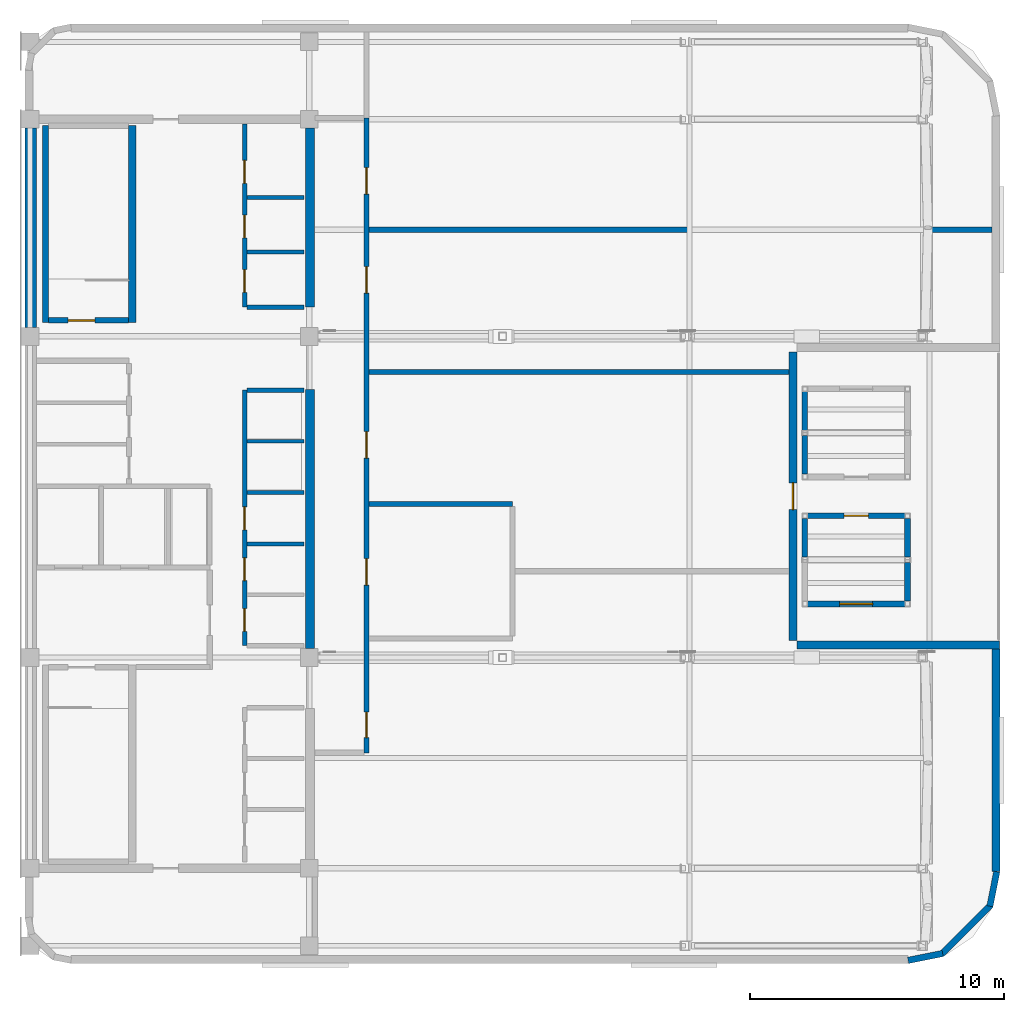
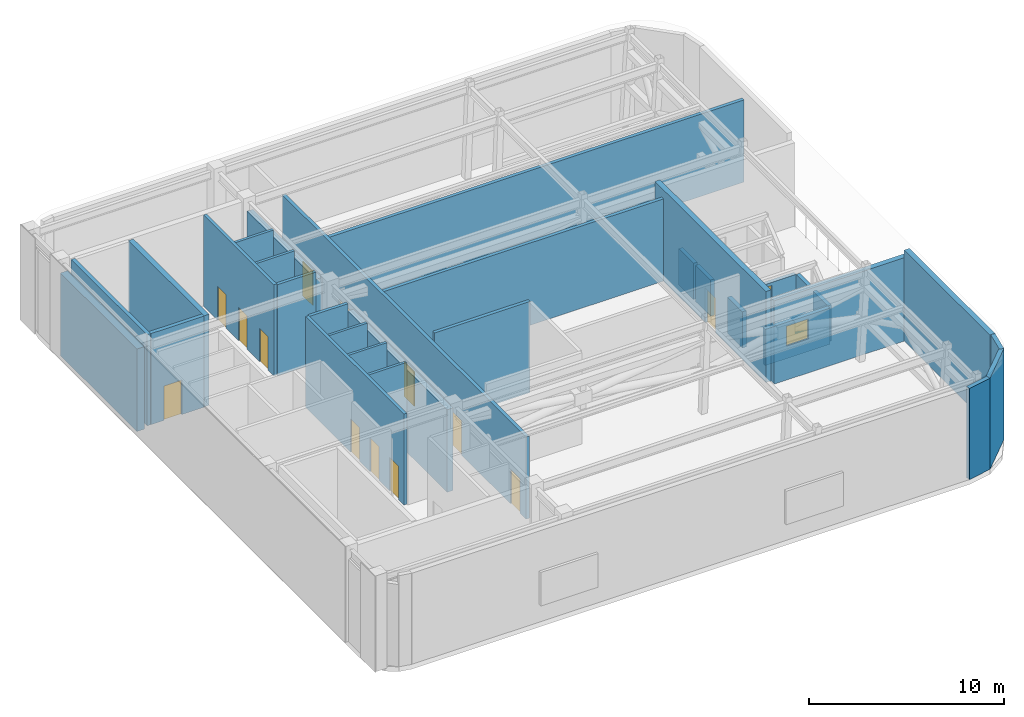
# One storey, part 10 of 12: 32 walls, 14 doors, 1 window, 15 openings.
"""IFC4 building model written with IfcOpenShell, lengths in metres."""

from ifc_helpers import new_model, si_unit, direction, frame, frame_2d, origin, place, context, subcontext, project, spatial, rectangle, extrude, material, layer, layer_set, type_object, element, fill, save


model = new_model("IFC4")

# Units and contexts
model_context = context("Model", 3, precision=1e-05, world=origin(), true_north=direction((0.0, 1.0)))
body_context = subcontext(model_context, "Body", "Model", "MODEL_VIEW")
ifc_project = project(units=[si_unit("LENGTHUNIT", "METRE"), si_unit("AREAUNIT", "SQUARE_METRE"), si_unit("VOLUMEUNIT", "CUBIC_METRE"), si_unit("PLANEANGLEUNIT", "RADIAN"), si_unit("MASSUNIT", "GRAM", prefix="KILO")], contexts=[model_context])

# Site, building, storey
site_placement = place(None, origin())
site = spatial("IfcSite", under=ifc_project, at=site_placement, CompositionType="ELEMENT")
building_placement = place(site_placement, origin())
building = spatial("IfcBuilding", under=site, at=building_placement, Name="Ochreholt Gables", CompositionType="ELEMENT")
storey_placement = place(building_placement, frame((0.0, 0.0, 287.0)))
storey = spatial("IfcBuildingStorey", under=building, at=storey_placement, Name="L75", CompositionType="ELEMENT", Elevation=287.0)

# Walls
ifc_material_1 = material(Name="Concrete 50 MPa", Category="concrete")
ifc_layer_1 = layer(ifc_material_1, 0.35009765625, Name="Concrete 50 MPa")
ifc_layer_set_1 = layer_set([ifc_layer_1], Name="Concrete 50 MPa")
wall_type_1 = type_object("IfcWallType", Name="WALL-CSW-350", PredefinedType="SHEAR", material=ifc_layer_set_1)
wall_1_placement = place(storey_placement, frame((35.22509765625, 17.89990234375, 0.0), z_axis=(0.0, 0.0, 1.0), x_axis=(0.0, 1.0, 0.0)))
element("IfcWall", 1, at=wall_1_placement, inside=storey, type_object=wall_type_1, Name="L75 Core Central-East Shear Wall", PredefinedType="SHEAR", context=body_context, shape_type="SweptSolid", body=[
    extrude(rectangle(XDim=10.2001953125, YDim=0.35009765625, at=frame_2d((5.10009765625, 0.0))), origin(), (0.0, 0.0, 1.0), 5.160888671875),
])
wall_2_placement = place(storey_placement, frame((35.22509765625, 31.35009765625, 0.0), z_axis=(0.0, 0.0, 1.0), x_axis=(0.0, 1.0, 0.0)))
element("IfcWall", 2, at=wall_2_placement, inside=storey, type_object=wall_type_1, Name="L75 Core North-East Shear Wall", PredefinedType="SHEAR", context=body_context, shape_type="SweptSolid", body=[
    extrude(rectangle(XDim=7.0498046875, YDim=0.35009765625, at=frame_2d((3.52490234375, 0.0))), origin(), (0.0, 0.0, 1.0), 5.160888671875),
])
ifc_layer_2 = layer(ifc_material_1, 0.449951171875, Name="Concrete 50 MPa")
ifc_layer_set_2 = layer_set([ifc_layer_2], Name="Concrete 50 MPa")
wall_type_2 = type_object("IfcWallType", Name="WALL-CSW-EXT", PredefinedType="SHEAR", material=ifc_layer_set_2)
wall_3_placement = place(storey_placement, frame((24.22509765625, 30.550048828125, 0.0), z_axis=(0.0, 0.0, 1.0), x_axis=(0.0, 1.0, 0.0)))
element("IfcWall", 3, at=wall_3_placement, inside=storey, type_object=wall_type_2, Name="L75 Core West Shear Wall WN", PredefinedType="SHEAR", context=body_context, shape_type="SweptSolid", body=[
    extrude(rectangle(XDim=7.849853515625, YDim=0.449951171875, at=frame_2d((3.9248046875, 0.0))), origin(), (0.0, 0.0, 1.0), 5.160888671875),
])
ifc_material_2 = material(Name="Precast concrete 40 MPa", Category="concrete")
ifc_layer_3 = layer(ifc_material_2, 0.25, Name="Precast concrete 40 MPa")
ifc_layer_set_3 = layer_set([ifc_layer_3], Name="Precast concrete 40 MPa")
wall_type_3 = type_object("IfcWallType", Name="WALL-EXT-CNR", PredefinedType="SOLIDWALL", material=ifc_layer_set_3)
wall_4_placement = place(storey_placement, frame((58.783447265625, 5.624267578125, 0.0), z_axis=(0.0, 0.0, 1.0), x_axis=(0.980809899341, 0.19496651342, 0.0)))
element("IfcWall", 4, at=wall_4_placement, inside=storey, type_object=wall_type_3, Name="L75 Rounded Corner Wall SE-1", PredefinedType="SOLIDWALL", context=body_context, shape_type="SweptSolid", body=[
    extrude(rectangle(XDim=1.388671875, YDim=0.25, at=frame_2d((0.6943359375, 0.0))), origin(), (0.0, 0.0, 1.0), 5.699951171875),
])
wall_5_placement = place(storey_placement, frame((60.094970703125, 5.867919921875, 0.0), z_axis=(0.0, 0.0, 1.0), x_axis=(0.707106781187, 0.707106781187, 0.0)))
element("IfcWall", 5, at=wall_5_placement, inside=storey, type_object=wall_type_3, Name="L75 Rounded Corner Wall SE-2", PredefinedType="SOLIDWALL", context=body_context, shape_type="SweptSolid", body=[
    extrude(rectangle(XDim=2.7392578125, YDim=0.25, at=frame_2d((1.36962890625, 0.0))), origin(), (0.0, 0.0, 1.0), 5.699951171875),
])
wall_6_placement = place(storey_placement, frame((62.0048828125, 7.75439453125, 0.0), z_axis=(0.0, 0.0, 1.0), x_axis=(0.195135625965, 0.9807762678, 0.0)))
element("IfcWall", 6, at=wall_6_placement, inside=storey, type_object=wall_type_3, Name="L75 Rounded Corner Wall SE-3", PredefinedType="SOLIDWALL", context=body_context, shape_type="SweptSolid", body=[
    extrude(rectangle(XDim=1.388671875, YDim=0.25, at=frame_2d((0.6943359375, 0.0))), origin(), (0.0, 0.0, 1.0), 5.699951171875),
])
ifc_layer_4 = layer(ifc_material_2, 0.22998046875, Name="Precast concrete 40 MPa")
ifc_layer_set_4 = layer_set([ifc_layer_4], Name="Precast concrete 40 MPa")
wall_type_4 = type_object("IfcWallType", Name="WALL-EXT-GAB", PredefinedType="SOLIDWALL", material=ifc_layer_set_4)
for number, where, z_axis, x_axis, name in (
    (7, (54.715087890625, 21.501953125, 0.0), (0.0, 0.0, 1.0), (0.0, 1.0, 0.0), "L75 Gable End Wall GB-75C1-W2"),
    (8, (58.764892578125, 19.77197265625, 0.0), (0.0, 0.0, 1.0), (0.0, 1.0, 0.0), "L75 Gable End Wall GB-75C1-E1"),
    (9, (58.764892578125, 21.501953125, 0.0), (0.0, 0.0, 1.0), (0.0, 1.0, 0.0), "L75 Gable End Wall GB-75C1-E2"),
):
    element("IfcWall", number, at=place(storey_placement, frame(where, z_axis=z_axis, x_axis=x_axis)), inside=storey, type_object=wall_type_4, Name=name, PredefinedType="SOLIDWALL", context=body_context, shape_type="SweptSolid", body=[
        extrude(rectangle(XDim=1.526123046875, YDim=0.22998046875, at=frame_2d((0.76318359375, 0.0))), origin(), (0.0, 0.0, 1.0), 2.264404296875),
    ])

# Wall, opening, window
wall_7_placement = place(storey_placement, frame((54.822021484375, 19.6650390625, 0.0), z_axis=(0.0, 0.0, 1.0), x_axis=(1.0, 0.0, 0.0)))
wall_7 = element("IfcWall", 10, at=wall_7_placement, inside=storey, type_object=wall_type_4, Name="L75 Gable Eave Wall GB-75C1-S", PredefinedType="SOLIDWALL", context=body_context, shape_type="SweptSolid", body=[
    extrude(rectangle(XDim=3.8359375, YDim=0.22998046875, at=frame_2d((1.91796875, 0.0))), origin(), (0.0, 0.0, 1.0), 2.264404296875),
])
opening_1_placement = place(wall_7_placement, frame((1.26806640625, 0.0, 0.780029296875)))
opening_1 = element("IfcOpeningElement", 11, at=opening_1_placement, cuts=wall_7, Name="Opening WN-6", PredefinedType="OPENING", context=body_context, shape_type="SweptSolid", body=[
    extrude(rectangle(XDim=1.300048828125, YDim=1.25, at=frame_2d((0.64990234375, 0.625))), frame((0.0, 0.125, 0.0), z_axis=(0.0, -1.0, 0.0), x_axis=(1.0, 0.0, 0.0)), (0.0, 0.0, 1.0), 0.25),
])
ifc_material_3 = material(Name="Triple-Glazed Thermally Broken Aluminium Window", Category="aluminium")
window_type = type_object("IfcWindowType", Name="WIN-GAB-1300", PartitioningType="SINGLE_PANEL", PredefinedType="WINDOW", material=ifc_material_3)
window_placement = place(opening_1_placement, origin())
window = element("IfcWindow", 12, at=window_placement, inside=storey, type_object=window_type, Name="L75 Gable Pavilion Window GB-75C1", OverallHeight=1.25, OverallWidth=1.300048828125, PartitioningType="SINGLE_PANEL", PredefinedType="WINDOW", context=body_context, shape_type="SweptSolid", body=[
    extrude(rectangle(XDim=1.300048828125, YDim=1.25, at=frame_2d((0.64990234375, 0.625))), frame((0.0, 0.030029296875, 0.0), z_axis=(0.0, -1.0, 0.0), x_axis=(1.0, 0.0, 0.0)), (0.0, 0.0, 1.0), 0.06005859375),
])
fill(opening_1, window)

# Wall, opening, door
wall_8_placement = place(storey_placement, frame((54.822021484375, 23.135009765625, 0.0), z_axis=(0.0, 0.0, 1.0), x_axis=(1.0, 0.0, 0.0)))
wall_8 = element("IfcWall", 13, at=wall_8_placement, inside=storey, type_object=wall_type_4, Name="L75 Gable Eave Wall GB-75C1-N", PredefinedType="SOLIDWALL", context=body_context, shape_type="SweptSolid", body=[
    extrude(rectangle(XDim=3.8359375, YDim=0.22998046875, at=frame_2d((1.91796875, 0.0))), origin(), (0.0, 0.0, 1.0), 2.264404296875),
])
opening_2_placement = place(wall_8_placement, frame((1.43798828125, 0.0, 0.0)))
opening_2 = element("IfcOpeningElement", 14, at=opening_2_placement, cuts=wall_8, Name="Opening D-GB1", PredefinedType="OPENING", context=body_context, shape_type="SweptSolid", body=[
    extrude(rectangle(XDim=0.9599609375, YDim=2.080078125, at=frame_2d((0.47998046875, 1.0400390625))), frame((0.0, 0.125, 0.0), z_axis=(0.0, -1.0, 0.0), x_axis=(1.0, 0.0, 0.0)), (0.0, 0.0, 1.0), 0.25),
])
ifc_material_4 = material(Name="Thermally Broken Insulated Steel and Glass Door", Category="steel")
door_type_1 = type_object("IfcDoorType", Name="DR-EXT-GAB960", OperationType="NOTDEFINED", PredefinedType="DOOR", material=ifc_material_4)
door_1_placement = place(opening_2_placement, origin())
door_1 = element("IfcDoor", 15, at=door_1_placement, inside=storey, type_object=door_type_1, Name="L75 Gable Pavilion Door GB-75C1", OperationType="SINGLE_SWING_RIGHT", OverallHeight=2.080078125, OverallWidth=0.9599609375, PredefinedType="DOOR", context=body_context, shape_type="SweptSolid", body=[
    extrude(rectangle(XDim=0.9599609375, YDim=2.080078125, at=frame_2d((0.47998046875, 1.0400390625))), frame((0.0, 0.02490234375, 0.0), z_axis=(0.0, -1.0, 0.0), x_axis=(1.0, 0.0, 0.0)), (0.0, 0.0, 1.0), 0.050048828125),
])
fill(opening_2, door_1)

# Walls
for number, where, z_axis, x_axis, name in (
    (16, (54.715087890625, 24.77197265625, 0.0), (0.0, 0.0, 1.0), (0.0, 1.0, 0.0), "L75 Gable End Wall GB-75C2-W1"),
    (17, (54.715087890625, 26.501953125, 0.0), (0.0, 0.0, 1.0), (0.0, 1.0, 0.0), "L75 Gable End Wall GB-75C2-W2"),
):
    element("IfcWall", number, at=place(storey_placement, frame(where, z_axis=z_axis, x_axis=x_axis)), inside=storey, type_object=wall_type_4, Name=name, PredefinedType="SOLIDWALL", context=body_context, shape_type="SweptSolid", body=[
        extrude(rectangle(XDim=1.526123046875, YDim=0.22998046875, at=frame_2d((0.76318359375, 0.0))), origin(), (0.0, 0.0, 1.0), 2.264404296875),
    ])
ifc_material_5 = material(Name="Precast concrete 50 MPa", Category="concrete")
ifc_layer_5 = layer(ifc_material_5, 0.31005859375, Name="Precast concrete 50 MPa")
ifc_layer_set_5 = layer_set([ifc_layer_5], Name="Precast concrete 50 MPa")
wall_type_5 = type_object("IfcWallType", Name="WALL-EXT-PLT", PredefinedType="SOLIDWALL", material=ifc_layer_set_5)
wall_9_placement = place(storey_placement, frame((62.2451171875, 9.1201171875, 0.0), z_axis=(0.0, 0.0, 1.0), x_axis=(0.0, 1.0, 0.0)))
element("IfcWall", 18, at=wall_9_placement, inside=storey, type_object=wall_type_5, Name="L75 South-East Plant Facade Wall", PredefinedType="SOLIDWALL", context=body_context, shape_type="SweptSolid", body=[
    extrude(rectangle(XDim=8.769775390625, YDim=0.31005859375, at=frame_2d((4.384765625, 0.0))), origin(), (0.0, 0.0, 1.0), 5.699951171875),
])
wall_10_placement = place(storey_placement, frame((54.39990234375, 18.044921875, 0.0), z_axis=(0.0, 0.0, 1.0), x_axis=(1.0, 0.0, 0.0)))
element("IfcWall", 19, at=wall_10_placement, inside=storey, type_object=wall_type_5, Name="L75 Crown Terrace South Cheek Wall", PredefinedType="SOLIDWALL", context=body_context, shape_type="SweptSolid", body=[
    extrude(rectangle(XDim=7.97998046875, YDim=0.31005859375, at=frame_2d((3.989990234375, 0.0))), origin(), (0.0, 0.0, 1.0), 5.218994140625),
])

# Wall, opening, door
wall_11_placement = place(storey_placement, frame((54.2451171875, 18.219970703125, 0.0), z_axis=(0.0, 0.0, 1.0), x_axis=(0.0, 1.0, 0.0)))
wall_11 = element("IfcWall", 20, at=wall_11_placement, inside=storey, type_object=wall_type_5, Name="L75 Crown Terrace Rear Plant Wall", PredefinedType="SOLIDWALL", context=body_context, shape_type="SweptSolid", body=[
    extrude(rectangle(XDim=11.360107421875, YDim=0.31005859375, at=frame_2d((5.68017578125, 0.0))), origin(), (0.0, 0.0, 1.0), 5.699951171875),
])
opening_3_placement = place(wall_11_placement, frame((5.159912109375, 0.0, 0.0)))
opening_3 = element("IfcOpeningElement", 21, at=opening_3_placement, cuts=wall_11, Name="Opening D-TR1", PredefinedType="OPENING", context=body_context, shape_type="SweptSolid", body=[
    extrude(rectangle(XDim=1.050048828125, YDim=2.14990234375, at=frame_2d((0.52490234375, 1.074951171875))), frame((0.0, 0.1650390625, 0.0), z_axis=(0.0, -1.0, 0.0), x_axis=(1.0, 0.0, 0.0)), (0.0, 0.0, 1.0), 0.330078125),
])
door_type_2 = type_object("IfcDoorType", Name="DR-EXT-TER1050", OperationType="NOTDEFINED", PredefinedType="DOOR", material=ifc_material_4)
door_2_placement = place(opening_3_placement, origin())
door_2 = element("IfcDoor", 22, at=door_2_placement, inside=storey, type_object=door_type_2, Name="L75 Upper Crown Terrace Access Door", OperationType="SINGLE_SWING_RIGHT", OverallHeight=2.14990234375, OverallWidth=1.050048828125, PredefinedType="DOOR", context=body_context, shape_type="SweptSolid", body=[
    extrude(rectangle(XDim=1.050048828125, YDim=2.14990234375, at=frame_2d((0.52490234375, 1.074951171875))), frame((0.0, 0.02490234375, 0.0), z_axis=(0.0, -1.0, 0.0), x_axis=(1.0, 0.0, 0.0)), (0.0, 0.0, 1.0), 0.050048828125),
])
fill(opening_3, door_2)

# Wall, openings, doors
ifc_material_6 = material(Name="Concrete 40 MPa", Category="concrete")
ifc_layer_6 = layer(ifc_material_6, 0.199951171875, Name="Concrete 40 MPa")
ifc_layer_set_6 = layer_set([ifc_layer_6], Name="Concrete 40 MPa")
wall_type_6 = type_object("IfcWallType", Name="WALL-INT-CF200", PredefinedType="STANDARD", material=ifc_layer_set_6)
wall_12_placement = place(storey_placement, frame((37.449951171875, 13.800048828125, 0.0), z_axis=(0.0, 0.0, 1.0), x_axis=(0.0, 1.0, 0.0)))
wall_12 = element("IfcWall", 23, at=wall_12_placement, inside=storey, type_object=wall_type_6, Name="L75 Interior Wall WI-PLCE-L75", PredefinedType="STANDARD", context=body_context, shape_type="SweptSolid", body=[
    extrude(rectangle(XDim=25.0, YDim=0.199951171875, at=frame_2d((12.5, 0.0))), origin(), (0.0, 0.0, 1.0), 5.14306640625),
])
opening_4_placement = place(wall_12_placement, frame((6.60009765625, 0.0, 0.0)))
opening_4 = element("IfcOpeningElement", 24, at=opening_4_placement, cuts=wall_12, Name="Opening D-FLB", PredefinedType="OPENING", context=body_context, shape_type="SweptSolid", body=[
    extrude(rectangle(XDim=1.050048828125, YDim=2.14990234375, at=frame_2d((0.52490234375, 1.074951171875))), frame((0.0, 0.10986328125, 0.0), z_axis=(0.0, -1.0, 0.0), x_axis=(1.0, 0.0, 0.0)), (0.0, 0.0, 1.0), 0.219970703125),
])
opening_5_placement = place(wall_12_placement, frame((0.60009765625, 0.0, 0.0)))
opening_5 = element("IfcOpeningElement", 25, at=opening_5_placement, cuts=wall_12, Name="Opening D-SV3", PredefinedType="OPENING", context=body_context, shape_type="SweptSolid", body=[
    extrude(rectangle(XDim=1.0, YDim=2.14990234375, at=frame_2d((0.5, 1.074951171875))), frame((0.0, 0.10986328125, 0.0), z_axis=(0.0, -1.0, 0.0), x_axis=(1.0, 0.0, 0.0)), (0.0, 0.0, 1.0), 0.219970703125),
])
opening_6_placement = place(wall_12_placement, frame((11.60009765625, 0.0, 0.0)))
opening_6 = element("IfcOpeningElement", 26, at=opening_6_placement, cuts=wall_12, Name="Opening D-SV4", PredefinedType="OPENING", context=body_context, shape_type="SweptSolid", body=[
    extrude(rectangle(XDim=1.050048828125, YDim=2.14990234375, at=frame_2d((0.52490234375, 1.074951171875))), frame((0.0, 0.10986328125, 0.0), z_axis=(0.0, -1.0, 0.0), x_axis=(1.0, 0.0, 0.0)), (0.0, 0.0, 1.0), 0.219970703125),
])
opening_7_placement = place(wall_12_placement, frame((18.10009765625, 0.0, 0.0)))
opening_7 = element("IfcOpeningElement", 27, at=opening_7_placement, cuts=wall_12, Name="Opening D-SV4", PredefinedType="OPENING", context=body_context, shape_type="SweptSolid", body=[
    extrude(rectangle(XDim=1.050048828125, YDim=2.14990234375, at=frame_2d((0.52490234375, 1.074951171875))), frame((0.0, 0.10986328125, 0.0), z_axis=(0.0, -1.0, 0.0), x_axis=(1.0, 0.0, 0.0)), (0.0, 0.0, 1.0), 0.219970703125),
])
opening_8_placement = place(wall_12_placement, frame((22.0, 0.0, 0.0)))
opening_8 = element("IfcOpeningElement", 28, at=opening_8_placement, cuts=wall_12, Name="Opening D-SV4", PredefinedType="OPENING", context=body_context, shape_type="SweptSolid", body=[
    extrude(rectangle(XDim=1.050048828125, YDim=2.14990234375, at=frame_2d((0.52490234375, 1.074951171875))), frame((0.0, 0.10986328125, 0.0), z_axis=(0.0, -1.0, 0.0), x_axis=(1.0, 0.0, 0.0)), (0.0, 0.0, 1.0), 0.219970703125),
])
ifc_material_7 = material(Name="Hollow Metal Steel", Category="steel")
door_type_3 = type_object("IfcDoorType", Name="DR-INT-FLB1050", OperationType="NOTDEFINED", PredefinedType="DOOR", material=ifc_material_7)
door_3_placement = place(opening_4_placement, origin())
door_3 = element("IfcDoor", 29, at=door_3_placement, inside=storey, type_object=door_type_3, Name="L75 Door D-PLRF-L75", OperationType="SINGLE_SWING_LEFT", OverallHeight=2.14990234375, OverallWidth=1.050048828125, PredefinedType="DOOR", context=body_context, shape_type="SweptSolid", body=[
    extrude(rectangle(XDim=1.050048828125, YDim=2.14990234375, at=frame_2d((0.52490234375, 1.074951171875))), frame((0.0, 0.02490234375, 0.0), z_axis=(0.0, -1.0, 0.0), x_axis=(1.0, 0.0, 0.0)), (0.0, 0.0, 1.0), 0.050048828125),
])
fill(opening_4, door_3)
door_type_4 = type_object("IfcDoorType", Name="DR-INT-SRV1000", OperationType="NOTDEFINED", PredefinedType="DOOR", material=ifc_material_7)
door_4_placement = place(opening_5_placement, origin())
door_4 = element("IfcDoor", 30, at=door_4_placement, inside=storey, type_object=door_type_4, Name="L75 Door D-PL1-L75", OperationType="SINGLE_SWING_RIGHT", OverallHeight=2.14990234375, OverallWidth=1.0, PredefinedType="DOOR", context=body_context, shape_type="SweptSolid", body=[
    extrude(rectangle(XDim=1.0, YDim=2.14990234375, at=frame_2d((0.5, 1.074951171875))), frame((0.0, 0.02490234375, 0.0), z_axis=(0.0, -1.0, 0.0), x_axis=(1.0, 0.0, 0.0)), (0.0, 0.0, 1.0), 0.050048828125),
])
fill(opening_5, door_4)
door_type_5 = type_object("IfcDoorType", Name="DR-INT-SRV1050", OperationType="NOTDEFINED", PredefinedType="DOOR", material=ifc_material_7)
door_5_placement = place(opening_6_placement, origin())
door_5 = element("IfcDoor", 31, at=door_5_placement, inside=storey, type_object=door_type_5, Name="L75 Door D-PL2-L75", OperationType="SINGLE_SWING_LEFT", OverallHeight=2.14990234375, OverallWidth=1.050048828125, PredefinedType="DOOR", context=body_context, shape_type="SweptSolid", body=[
    extrude(rectangle(XDim=1.050048828125, YDim=2.14990234375, at=frame_2d((0.52490234375, 1.074951171875))), frame((0.0, 0.02490234375, 0.0), z_axis=(0.0, -1.0, 0.0), x_axis=(1.0, 0.0, 0.0)), (0.0, 0.0, 1.0), 0.050048828125),
])
fill(opening_6, door_5)
door_6_placement = place(opening_7_placement, origin())
door_6 = element("IfcDoor", 32, at=door_6_placement, inside=storey, type_object=door_type_5, Name="L75 Door D-PL3-L75", OperationType="SINGLE_SWING_RIGHT", OverallHeight=2.14990234375, OverallWidth=1.050048828125, PredefinedType="DOOR", context=body_context, shape_type="SweptSolid", body=[
    extrude(rectangle(XDim=1.050048828125, YDim=2.14990234375, at=frame_2d((0.52490234375, 1.074951171875))), frame((0.0, 0.02490234375, 0.0), z_axis=(0.0, -1.0, 0.0), x_axis=(1.0, 0.0, 0.0)), (0.0, 0.0, 1.0), 0.050048828125),
])
fill(opening_7, door_6)
door_7_placement = place(opening_8_placement, origin())
door_7 = element("IfcDoor", 33, at=door_7_placement, inside=storey, type_object=door_type_5, Name="L75 Door D-PL4-L75", OperationType="SINGLE_SWING_LEFT", OverallHeight=2.14990234375, OverallWidth=1.050048828125, PredefinedType="DOOR", context=body_context, shape_type="SweptSolid", body=[
    extrude(rectangle(XDim=1.050048828125, YDim=2.14990234375, at=frame_2d((0.52490234375, 1.074951171875))), frame((0.0, 0.02490234375, 0.0), z_axis=(0.0, -1.0, 0.0), x_axis=(1.0, 0.0, 0.0)), (0.0, 0.0, 1.0), 0.050048828125),
])
fill(opening_8, door_7)

# Walls
wall_13_placement = place(storey_placement, frame((37.550048828125, 23.60009765625, 0.0), z_axis=(0.0, 0.0, 1.0), x_axis=(1.0, 0.0, 0.0)))
element("IfcWall", 34, at=wall_13_placement, inside=storey, type_object=wall_type_6, Name="L75 Interior Wall WI-PLRFN-L75", PredefinedType="STANDARD", context=body_context, shape_type="SweptSolid", body=[
    extrude(rectangle(XDim=5.64990234375, YDim=0.199951171875, at=frame_2d((2.824951171875, 0.0))), origin(), (0.0, 0.0, 1.0), 5.699951171875),
])
wall_14_placement = place(storey_placement, frame((37.550048828125, 28.800048828125, 0.0), z_axis=(0.0, 0.0, 1.0), x_axis=(1.0, 0.0, 0.0)))
element("IfcWall", 35, at=wall_14_placement, inside=storey, type_object=wall_type_6, Name="L75 Interior Wall WI-PLE1-L75", PredefinedType="STANDARD", context=body_context, shape_type="SweptSolid", body=[
    extrude(rectangle(XDim=16.5400390625, YDim=0.199951171875, at=frame_2d((8.27001953125, 0.0))), origin(), (0.0, 0.0, 1.0), 5.14306640625),
])
wall_15_placement = place(storey_placement, frame((37.550048828125, 34.39990234375, 0.0), z_axis=(0.0, 0.0, 1.0), x_axis=(1.0, 0.0, 0.0)))
element("IfcWall", 36, at=wall_15_placement, inside=storey, type_object=wall_type_6, Name="L75 Interior Wall WI-PLE2-L75", PredefinedType="STANDARD", context=body_context, shape_type="SweptSolid", body=[
    extrude(rectangle(XDim=24.5400390625, YDim=0.199951171875, at=frame_2d((12.27001953125, 0.0))), origin(), (0.0, 0.0, 1.0), 5.14306640625),
])
ifc_material_8 = material(Name="Gypsum Shaftliner and Steel Stud", Category="steel")
ifc_layer_7 = layer(ifc_material_8, 0.14990234375, Name="Gypsum Shaftliner and Steel Stud")
ifc_layer_set_7 = layer_set([ifc_layer_7], Name="Gypsum Shaftliner and Steel Stud")
wall_type_7 = type_object("IfcWallType", Name="WALL-INT-SH150", PredefinedType="STANDARD", material=ifc_layer_set_7)
for number, where, z_axis, x_axis, name in (
    (37, (32.739990234375, 22.02001953125, 0.0), (0.0, 0.0, 1.0), (1.0, 0.0, 0.0), "L75 Interior Wall WI-LFHE-DH2-L75"),
    (38, (32.739990234375, 24.050048828125, 0.0), (0.0, 0.0, 1.0), (1.0, 0.0, 0.0), "L75 Interior Wall WI-LFHE-DHE-L75"),
    (39, (32.739990234375, 26.070068359375, 0.0), (0.0, 0.0, 1.0), (1.0, 0.0, 0.0), "L75 Interior Wall WI-LFHE-DEX1-L75"),
    (40, (32.739990234375, 33.52001953125, 0.0), (0.0, 0.0, 1.0), (1.0, 0.0, 0.0), "L75 Interior Wall WI-LFM-D1-L75"),
    (41, (32.739990234375, 35.669921875, 0.0), (0.0, 0.0, 1.0), (1.0, 0.0, 0.0), "L75 Interior Wall WI-LFM-D2-L75"),
):
    element("IfcWall", number, at=place(storey_placement, frame(where, z_axis=z_axis, x_axis=x_axis)), inside=storey, type_object=wall_type_7, Name=name, PredefinedType="STANDARD", context=body_context, shape_type="SweptSolid", body=[
        extrude(rectangle(XDim=2.260009765625, YDim=0.14990234375, at=frame_2d((1.1298828125, 0.0))), origin(), (0.0, 0.0, 1.0), 5.699951171875),
    ])

# Wall, openings, doors
ifc_layer_8 = layer(ifc_material_8, 0.179931640625, Name="Gypsum Shaftliner and Steel Stud")
ifc_layer_set_8 = layer_set([ifc_layer_8], Name="Gypsum Shaftliner and Steel Stud")
wall_type_8 = type_object("IfcWallType", Name="WALL-INT-SH180", PredefinedType="STANDARD", material=ifc_layer_set_8)
wall_16_placement = place(storey_placement, frame((32.64990234375, 18.02001953125, 0.0), z_axis=(0.0, 0.0, 1.0), x_axis=(0.0, 1.0, 0.0)))
wall_16 = element("IfcWall", 42, at=wall_16_placement, inside=storey, type_object=wall_type_8, Name="L75 Interior Wall WI-LFHE-FR-L75", PredefinedType="STANDARD", context=body_context, shape_type="SweptSolid", body=[
    extrude(rectangle(XDim=10.06005859375, YDim=0.179931640625, at=frame_2d((5.030029296875, 0.0))), origin(), (0.0, 0.0, 1.0), 5.699951171875),
])
opening_9_placement = place(wall_16_placement, frame((0.56005859375, 0.0, 0.0)))
opening_9 = element("IfcOpeningElement", 43, at=opening_9_placement, cuts=wall_16, Name="Opening D-SV1", PredefinedType="OPENING", context=body_context, shape_type="SweptSolid", body=[
    extrude(rectangle(XDim=0.89990234375, YDim=2.10009765625, at=frame_2d((0.449951171875, 1.050048828125))), frame((0.0, 0.099853515625, 0.0), z_axis=(0.0, -1.0, 0.0), x_axis=(1.0, 0.0, 0.0)), (0.0, 0.0, 1.0), 0.199951171875),
])
opening_10_placement = place(wall_16_placement, frame((2.56005859375, 0.0, 0.0)))
opening_10 = element("IfcOpeningElement", 44, at=opening_10_placement, cuts=wall_16, Name="Opening D-SV1", PredefinedType="OPENING", context=body_context, shape_type="SweptSolid", body=[
    extrude(rectangle(XDim=0.89990234375, YDim=2.10009765625, at=frame_2d((0.449951171875, 1.050048828125))), frame((0.0, 0.099853515625, 0.0), z_axis=(0.0, -1.0, 0.0), x_axis=(1.0, 0.0, 0.0)), (0.0, 0.0, 1.0), 0.199951171875),
])
opening_11_placement = place(wall_16_placement, frame((4.56005859375, 0.0, 0.0)))
opening_11 = element("IfcOpeningElement", 45, at=opening_11_placement, cuts=wall_16, Name="Opening D-SV1", PredefinedType="OPENING", context=body_context, shape_type="SweptSolid", body=[
    extrude(rectangle(XDim=0.89990234375, YDim=2.10009765625, at=frame_2d((0.449951171875, 1.050048828125))), frame((0.0, 0.099853515625, 0.0), z_axis=(0.0, -1.0, 0.0), x_axis=(1.0, 0.0, 0.0)), (0.0, 0.0, 1.0), 0.199951171875),
])
door_type_6 = type_object("IfcDoorType", Name="DR-INT-SRV900", OperationType="NOTDEFINED", PredefinedType="DOOR", material=ifc_material_7)
door_8_placement = place(opening_9_placement, origin())
door_8 = element("IfcDoor", 46, at=door_8_placement, inside=storey, type_object=door_type_6, Name="L75 Door D-HCST-LF-H1-L75", OperationType="SINGLE_SWING_RIGHT", OverallHeight=2.10009765625, OverallWidth=0.89990234375, PredefinedType="DOOR", context=body_context, shape_type="SweptSolid", body=[
    extrude(rectangle(XDim=0.89990234375, YDim=2.10009765625, at=frame_2d((0.449951171875, 1.050048828125))), frame((0.0, 0.02490234375, 0.0), z_axis=(0.0, -1.0, 0.0), x_axis=(1.0, 0.0, 0.0)), (0.0, 0.0, 1.0), 0.050048828125),
])
fill(opening_9, door_8)
door_9_placement = place(opening_10_placement, origin())
door_9 = element("IfcDoor", 47, at=door_9_placement, inside=storey, type_object=door_type_6, Name="L75 Door D-HCST-LF-H2-L75", OperationType="SINGLE_SWING_RIGHT", OverallHeight=2.10009765625, OverallWidth=0.89990234375, PredefinedType="DOOR", context=body_context, shape_type="SweptSolid", body=[
    extrude(rectangle(XDim=0.89990234375, YDim=2.10009765625, at=frame_2d((0.449951171875, 1.050048828125))), frame((0.0, 0.02490234375, 0.0), z_axis=(0.0, -1.0, 0.0), x_axis=(1.0, 0.0, 0.0)), (0.0, 0.0, 1.0), 0.050048828125),
])
fill(opening_10, door_9)
door_10_placement = place(opening_11_placement, origin())
door_10 = element("IfcDoor", 48, at=door_10_placement, inside=storey, type_object=door_type_6, Name="L75 Door D-HCST-LF-H3-L75", OperationType="SINGLE_SWING_RIGHT", OverallHeight=2.10009765625, OverallWidth=0.89990234375, PredefinedType="DOOR", context=body_context, shape_type="SweptSolid", body=[
    extrude(rectangle(XDim=0.89990234375, YDim=2.10009765625, at=frame_2d((0.449951171875, 1.050048828125))), frame((0.0, 0.02490234375, 0.0), z_axis=(0.0, -1.0, 0.0), x_axis=(1.0, 0.0, 0.0)), (0.0, 0.0, 1.0), 0.050048828125),
])
fill(opening_11, door_10)

# Wall
wall_17_placement = place(storey_placement, frame((32.739990234375, 28.080078125, 0.0), z_axis=(0.0, 0.0, 1.0), x_axis=(1.0, 0.0, 0.0)))
element("IfcWall", 49, at=wall_17_placement, inside=storey, type_object=wall_type_8, Name="L75 Interior Wall WI-LFHE-N-L75", PredefinedType="STANDARD", context=body_context, shape_type="SweptSolid", body=[
    extrude(rectangle(XDim=2.260009765625, YDim=0.179931640625, at=frame_2d((1.1298828125, 0.0))), origin(), (0.0, 0.0, 1.0), 5.699951171875),
])

# Wall, openings, doors
wall_18_placement = place(storey_placement, frame((32.64990234375, 31.35009765625, 0.0), z_axis=(0.0, 0.0, 1.0), x_axis=(0.0, 1.0, 0.0)))
wall_18 = element("IfcWall", 50, at=wall_18_placement, inside=storey, type_object=wall_type_8, Name="L75 Interior Wall WI-LFM-FR-L75", PredefinedType="STANDARD", context=body_context, shape_type="SweptSolid", body=[
    extrude(rectangle(XDim=7.2099609375, YDim=0.179931640625, at=frame_2d((3.60498046875, 0.0))), origin(), (0.0, 0.0, 1.0), 5.699951171875),
])
opening_12_placement = place(wall_18_placement, frame((0.580078125, 0.0, 0.0)))
opening_12 = element("IfcOpeningElement", 51, at=opening_12_placement, cuts=wall_18, Name="Opening D-SV1", PredefinedType="OPENING", context=body_context, shape_type="SweptSolid", body=[
    extrude(rectangle(XDim=0.89990234375, YDim=2.10009765625, at=frame_2d((0.449951171875, 1.050048828125))), frame((0.0, 0.099853515625, 0.0), z_axis=(0.0, -1.0, 0.0), x_axis=(1.0, 0.0, 0.0)), (0.0, 0.0, 1.0), 0.199951171875),
])
opening_13_placement = place(wall_18_placement, frame((2.72998046875, 0.0, 0.0)))
opening_13 = element("IfcOpeningElement", 52, at=opening_13_placement, cuts=wall_18, Name="Opening D-SV1", PredefinedType="OPENING", context=body_context, shape_type="SweptSolid", body=[
    extrude(rectangle(XDim=0.89990234375, YDim=2.10009765625, at=frame_2d((0.449951171875, 1.050048828125))), frame((0.0, 0.099853515625, 0.0), z_axis=(0.0, -1.0, 0.0), x_axis=(1.0, 0.0, 0.0)), (0.0, 0.0, 1.0), 0.199951171875),
])
opening_14_placement = place(wall_18_placement, frame((4.8798828125, 0.0, 0.0)))
opening_14 = element("IfcOpeningElement", 53, at=opening_14_placement, cuts=wall_18, Name="Opening D-SV1", PredefinedType="OPENING", context=body_context, shape_type="SweptSolid", body=[
    extrude(rectangle(XDim=0.89990234375, YDim=2.10009765625, at=frame_2d((0.449951171875, 1.050048828125))), frame((0.0, 0.099853515625, 0.0), z_axis=(0.0, -1.0, 0.0), x_axis=(1.0, 0.0, 0.0)), (0.0, 0.0, 1.0), 0.199951171875),
])
door_11_placement = place(opening_12_placement, origin())
door_11 = element("IfcDoor", 54, at=door_11_placement, inside=storey, type_object=door_type_6, Name="L75 Door D-MCST1-L75", OperationType="SINGLE_SWING_LEFT", OverallHeight=2.10009765625, OverallWidth=0.89990234375, PredefinedType="DOOR", context=body_context, shape_type="SweptSolid", body=[
    extrude(rectangle(XDim=0.89990234375, YDim=2.10009765625, at=frame_2d((0.449951171875, 1.050048828125))), frame((0.0, 0.02490234375, 0.0), z_axis=(0.0, -1.0, 0.0), x_axis=(1.0, 0.0, 0.0)), (0.0, 0.0, 1.0), 0.050048828125),
])
fill(opening_12, door_11)
door_12_placement = place(opening_13_placement, origin())
door_12 = element("IfcDoor", 55, at=door_12_placement, inside=storey, type_object=door_type_6, Name="L75 Door D-MCST2-L75", OperationType="SINGLE_SWING_LEFT", OverallHeight=2.10009765625, OverallWidth=0.89990234375, PredefinedType="DOOR", context=body_context, shape_type="SweptSolid", body=[
    extrude(rectangle(XDim=0.89990234375, YDim=2.10009765625, at=frame_2d((0.449951171875, 1.050048828125))), frame((0.0, 0.02490234375, 0.0), z_axis=(0.0, -1.0, 0.0), x_axis=(1.0, 0.0, 0.0)), (0.0, 0.0, 1.0), 0.050048828125),
])
fill(opening_13, door_12)
door_13_placement = place(opening_14_placement, origin())
door_13 = element("IfcDoor", 56, at=door_13_placement, inside=storey, type_object=door_type_6, Name="L75 Door D-MCST3-L75", OperationType="SINGLE_SWING_LEFT", OverallHeight=2.10009765625, OverallWidth=0.89990234375, PredefinedType="DOOR", context=body_context, shape_type="SweptSolid", body=[
    extrude(rectangle(XDim=0.89990234375, YDim=2.10009765625, at=frame_2d((0.449951171875, 1.050048828125))), frame((0.0, 0.02490234375, 0.0), z_axis=(0.0, -1.0, 0.0), x_axis=(1.0, 0.0, 0.0)), (0.0, 0.0, 1.0), 0.050048828125),
])
fill(opening_14, door_13)

# Walls
wall_19_placement = place(storey_placement, frame((32.739990234375, 31.35009765625, 0.0), z_axis=(0.0, 0.0, 1.0), x_axis=(1.0, 0.0, 0.0)))
element("IfcWall", 57, at=wall_19_placement, inside=storey, type_object=wall_type_8, Name="L75 Interior Wall WI-LFM-S-L75", PredefinedType="STANDARD", context=body_context, shape_type="SweptSolid", body=[
    extrude(rectangle(XDim=2.260009765625, YDim=0.179931640625, at=frame_2d((1.1298828125, 0.0))), origin(), (0.0, 0.0, 1.0), 5.699951171875),
])
ifc_material_9 = material(Name="Concrete 60 MPa", Category="concrete")
ifc_layer_9 = layer(ifc_material_9, 0.300048828125, Name="Concrete 60 MPa")
ifc_layer_set_9 = layer_set([ifc_layer_9], Name="Concrete 60 MPa")
wall_type_9 = type_object("IfcWallType", Name="WALL-SPN-300", PredefinedType="SHEAR", material=ifc_layer_set_9)
wall_20_placement = place(storey_placement, frame((28.22998046875, 30.739990234375, 0.0), z_axis=(0.0, 0.0, 1.0), x_axis=(0.0, 1.0, 0.0)))
element("IfcWall", 58, at=wall_20_placement, inside=storey, type_object=wall_type_9, Name="L75 Core North Spine Shear Wall", PredefinedType="SHEAR", context=body_context, shape_type="SweptSolid", body=[
    extrude(rectangle(XDim=7.760009765625, YDim=0.300048828125, at=frame_2d((3.8798828125, 0.0))), origin(), (0.0, 0.0, 1.0), 5.699951171875),
])
ifc_layer_10 = layer(ifc_material_1, 0.219970703125, Name="Concrete 50 MPa")
ifc_layer_set_10 = layer_set([ifc_layer_10], Name="Concrete 50 MPa")
wall_type_10 = type_object("IfcWallType", Name="WALL-STW-220", PredefinedType="SHEAR", material=ifc_layer_set_10)
wall_21_placement = place(storey_placement, frame((24.81005859375, 30.739990234375, 0.0), z_axis=(0.0, 0.0, 1.0), x_axis=(0.0, 1.0, 0.0)))
element("IfcWall", 59, at=wall_21_placement, inside=storey, type_object=wall_type_10, Name="L75 Exit Stair 2 West Wall", PredefinedType="SHEAR", context=body_context, shape_type="SweptSolid", body=[
    extrude(rectangle(XDim=7.760009765625, YDim=0.219970703125, at=frame_2d((3.8798828125, 0.0))), origin(), (0.0, 0.0, 1.0), 5.699951171875),
])

# Wall, opening, door
wall_22_placement = place(storey_placement, frame((24.919921875, 30.830078125, 0.0), z_axis=(0.0, 0.0, 1.0), x_axis=(1.0, 0.0, 0.0)))
wall_22 = element("IfcWall", 60, at=wall_22_placement, inside=storey, type_object=wall_type_10, Name="L75 Exit Stair 2 South Wall", PredefinedType="SHEAR", context=body_context, shape_type="SweptSolid", body=[
    extrude(rectangle(XDim=3.16015625, YDim=0.219970703125, at=frame_2d((1.580078125, 0.0))), origin(), (0.0, 0.0, 1.0), 5.699951171875),
])
opening_15_placement = place(wall_22_placement, frame((0.780029296875, 0.0, 0.0)))
opening_15 = element("IfcOpeningElement", 61, at=opening_15_placement, cuts=wall_22, Name="Opening D-STC", PredefinedType="OPENING", context=body_context, shape_type="SweptSolid", body=[
    extrude(rectangle(XDim=1.050048828125, YDim=2.14990234375, at=frame_2d((0.52490234375, 1.074951171875))), frame((0.0, 0.119873046875, 0.0), z_axis=(0.0, -1.0, 0.0), x_axis=(1.0, 0.0, 0.0)), (0.0, 0.0, 1.0), 0.239990234375),
])
door_type_7 = type_object("IfcDoorType", Name="DR-INT-ST1050", OperationType="NOTDEFINED", PredefinedType="DOOR", material=ifc_material_7)
door_14_placement = place(opening_15_placement, origin())
door_14 = element("IfcDoor", 62, at=door_14_placement, inside=storey, type_object=door_type_7, Name="L75 Door D-ST2-L75", OperationType="SINGLE_SWING_RIGHT", OverallHeight=2.14990234375, OverallWidth=1.050048828125, PredefinedType="DOOR", context=body_context, shape_type="SweptSolid", body=[
    extrude(rectangle(XDim=1.050048828125, YDim=2.14990234375, at=frame_2d((0.52490234375, 1.074951171875))), frame((0.0, 0.02490234375, 0.0), z_axis=(0.0, -1.0, 0.0), x_axis=(1.0, 0.0, 0.0)), (0.0, 0.0, 1.0), 0.050048828125),
])
fill(opening_15, door_14)

save(model, "model.ifc")
